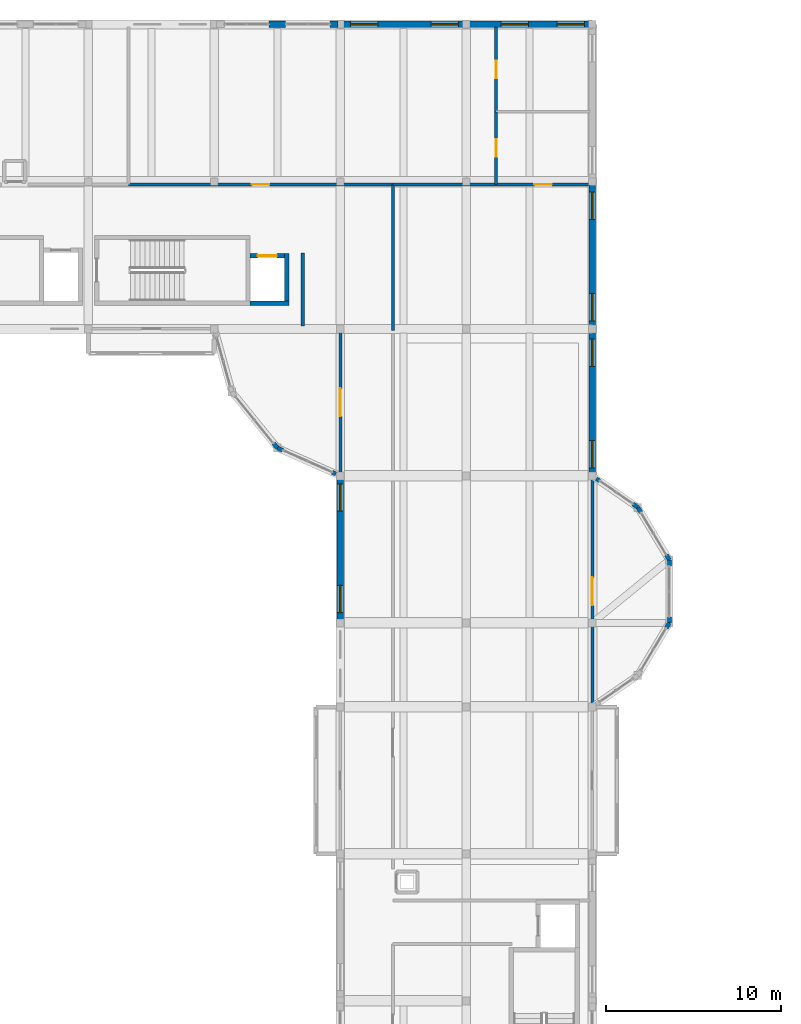
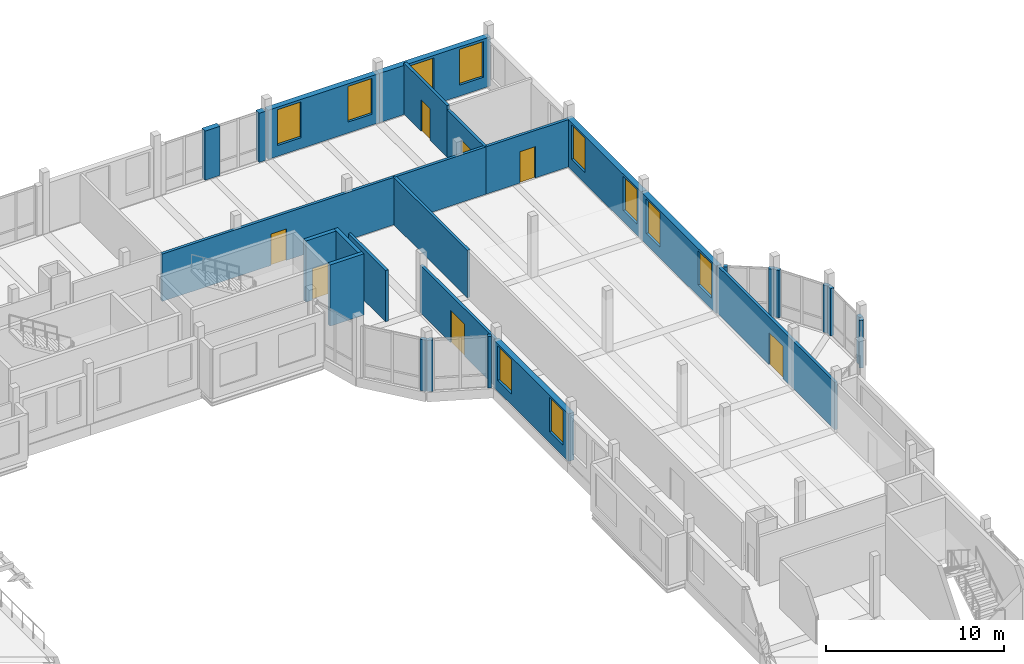
# One storey, part 73 of 99: 29 walls, 10 windows, 7 doors, 17 openings.
"""IFC4 building model written with IfcOpenShell, lengths in metres."""

from ifc_helpers import new_model, si_unit, direction, frame, frame_2d, origin, place, context, subcontext, project, spatial, rectangle, extrude, material, layer, layer_set, type_object, element, fill, save


model = new_model("IFC4")

# Units and contexts
model_context = context("Model", 3, precision=1e-05, world=origin(), true_north=direction((0.0, 1.0)))
body_context = subcontext(model_context, "Body", "Model", "MODEL_VIEW")
ifc_project = project(units=[si_unit("LENGTHUNIT", "METRE"), si_unit("AREAUNIT", "SQUARE_METRE"), si_unit("VOLUMEUNIT", "CUBIC_METRE"), si_unit("PLANEANGLEUNIT", "RADIAN"), si_unit("MASSUNIT", "GRAM", prefix="KILO")], contexts=[model_context])

# Site, building, storey
site_placement = place(None, origin())
site = spatial("IfcSite", under=ifc_project, at=site_placement, CompositionType="ELEMENT")
building_placement = place(site_placement, origin())
building = spatial("IfcBuilding", under=site, at=building_placement, Name="Kahlenmark Community Centre", CompositionType="ELEMENT")
storey_placement = place(building_placement, frame((0.0, 0.0, 5.39990234375)))
storey = spatial("IfcBuildingStorey", under=building, at=storey_placement, Name="L01", CompositionType="ELEMENT", Elevation=5.39990234375)

# Walls
ifc_material_1 = material(Name="Concrete C35/45", Category="concrete")
ifc_layer_1 = layer(ifc_material_1, 0.25)
ifc_layer_set_1 = layer_set([ifc_layer_1], Name="Concrete C35/45")
wall_type_1 = type_object("IfcWallType", Name="WT-CORE-250", PredefinedType="SHEAR", material=ifc_layer_set_1)
wall_1_placement = place(storey_placement, frame((67.25, 99.074951171875, 0.0), z_axis=(0.0, 0.0, 1.0), x_axis=(1.0, 0.0, 0.0)))
element("IfcWall", 1, at=wall_1_placement, inside=storey, type_object=wall_type_1, Name="Core K5 shear wall WL-CORE-K5-L01-0166", PredefinedType="SHEAR", context=body_context, shape_type="SweptSolid", body=[
    extrude(rectangle(XDim=2.2099609375, YDim=0.25, at=frame_2d((1.10498046875, 0.0))), origin(), (0.0, 0.0, 1.0), 4.2001953125),
])
wall_2_placement = place(storey_placement, frame((69.3349609375, 98.949951171875, 0.0), z_axis=(0.0, 0.0, 1.0), x_axis=(0.0, 1.0, 0.0)))
element("IfcWall", 2, at=wall_2_placement, inside=storey, type_object=wall_type_1, Name="Core K5 shear wall WL-CORE-K5-L01-0167", PredefinedType="SHEAR", context=body_context, shape_type="SweptSolid", body=[
    extrude(rectangle(XDim=2.9599609375, YDim=0.25, at=frame_2d((1.47998046875, 0.0))), origin(), (0.0, 0.0, 1.0), 4.2001953125),
])

# Wall, opening, door
wall_3_placement = place(storey_placement, frame((67.25, 101.784912109375, 0.0), z_axis=(0.0, 0.0, 1.0), x_axis=(1.0, 0.0, 0.0)))
wall_3 = element("IfcWall", 3, at=wall_3_placement, inside=storey, type_object=wall_type_1, Name="Core K5 shear wall WL-CORE-K5-L01-0168", PredefinedType="SHEAR", context=body_context, shape_type="SweptSolid", body=[
    extrude(rectangle(XDim=1.9599609375, YDim=0.25, at=frame_2d((0.97998046875, 0.0))), origin(), (0.0, 0.0, 1.0), 4.2001953125),
])
opening_1_placement = place(wall_3_placement, frame((0.429931640625, 0.0, -0.010009765625)))
opening_1 = element("IfcOpeningElement", 4, at=opening_1_placement, cuts=wall_3, Name="Opening LD-5", PredefinedType="OPENING", context=body_context, shape_type="SweptSolid", body=[
    extrude(rectangle(XDim=1.10009765625, YDim=2.159912109375, at=frame_2d((0.550048828125, 1.080078125))), frame((0.0, 0.135009765625, 0.0), z_axis=(0.0, -1.0, 0.0), x_axis=(1.0, 0.0, 0.0)), (0.0, 0.0, 1.0), 0.27001953125),
])
ifc_material_2 = material(Name="Brushed stainless steel sliding lift landing door", Category="steel")
door_type_1 = type_object("IfcDoorType", Name="DT-LD-K5", OperationType="SLIDING_TO_LEFT", PredefinedType="DOOR", material=ifc_material_2)
door_1_placement = place(opening_1_placement, frame((0.0, 0.0, 0.010009765625)))
door_1 = element("IfcDoor", 5, at=door_1_placement, inside=storey, type_object=door_type_1, Name="Lift LF-05 sliding landing door L01", OperationType="SLIDING_TO_LEFT", OverallHeight=2.14990234375, OverallWidth=1.10009765625, PredefinedType="DOOR", context=body_context, shape_type="SweptSolid", body=[
    extrude(rectangle(XDim=1.10009765625, YDim=2.14990234375, at=frame_2d((0.550048828125, 1.074951171875))), frame((0.0, 0.02490234375, 0.0), z_axis=(0.0, -1.0, 0.0), x_axis=(1.0, 0.0, 0.0)), (0.0, 0.0, 1.0), 0.050048828125),
])
fill(opening_1, door_1)

# Walls
ifc_material_3 = material(Name="Cross-laminated timber CLT C24", Category="wood")
ifc_layer_2 = layer(ifc_material_3, 0.239990234375)
ifc_layer_set_2 = layer_set([ifc_layer_2], Name="Cross-laminated timber CLT C24")
wall_type_2 = type_object("IfcWallType", Name="WT-EW-240", PredefinedType="SOLIDWALL", material=ifc_layer_set_2)
for number, where, z_axis, x_axis, name in (
    (6, (91.025146484375, 80.508544921875, 0.0), (0.0, 0.0, 1.0), (0.514284482632, 0.857619653998, 0.0), "Rotunda pier closure 0719"),
    (7, (91.199951171875, 80.800048828125, 0.0), (0.0, 0.0, 1.0), (0.0, 1.0, 0.0), "Rotunda pier closure 0720"),
    (8, (91.199951171875, 84.06005859375, 0.0), (0.0, 0.0, 1.0), (0.0, 1.0, 0.0), "Rotunda pier closure 0721"),
    (9, (91.199951171875, 84.39990234375, 0.0), (0.0, 0.0, 1.0), (-0.514284482632, 0.857619653998, 0.0), "Rotunda pier closure 0722"),
):
    element("IfcWall", number, at=place(storey_placement, frame(where, z_axis=z_axis, x_axis=x_axis)), inside=storey, type_object=wall_type_2, Name=name, PredefinedType="SOLIDWALL", context=body_context, shape_type="SweptSolid", body=[
        extrude(rectangle(XDim=0.33984375, YDim=0.239990234375, at=frame_2d((0.169921875, 0.0))), origin(), (0.0, 0.0, 1.0), 3.25),
    ])
wall_4_placement = place(storey_placement, frame((89.574951171875, 87.1083984375, 0.0), z_axis=(0.0, 0.0, 1.0), x_axis=(-0.514812489021, 0.857302805984, 0.0)))
element("IfcWall", 10, at=wall_4_placement, inside=storey, type_object=wall_type_2, Name="Rotunda pier closure 0723", PredefinedType="SOLIDWALL", context=body_context, shape_type="SweptSolid", body=[
    extrude(rectangle(XDim=0.340087890625, YDim=0.239990234375, at=frame_2d((0.169921875, 0.0))), origin(), (0.0, 0.0, 1.0), 3.25),
])
wall_5_placement = place(storey_placement, frame((89.39990234375, 87.39990234375, 0.0), z_axis=(0.0, 0.0, 1.0), x_axis=(-0.821855834467, 0.569695521619, 0.0)))
element("IfcWall", 11, at=wall_5_placement, inside=storey, type_object=wall_type_2, Name="Rotunda pier closure 0724", PredefinedType="SOLIDWALL", context=body_context, shape_type="SweptSolid", body=[
    extrude(rectangle(XDim=0.33984375, YDim=0.239990234375, at=frame_2d((0.169921875, 0.0))), origin(), (0.0, 0.0, 1.0), 3.25),
])
wall_6_placement = place(storey_placement, frame((87.211181640625, 88.915283203125, 0.0), z_axis=(0.0, 0.0, 1.0), x_axis=(-0.822192191644, 0.56920997883, 0.0)))
element("IfcWall", 12, at=wall_6_placement, inside=storey, type_object=wall_type_2, Name="Rotunda pier closure 0725", PredefinedType="SOLIDWALL", context=body_context, shape_type="SweptSolid", body=[
    extrude(rectangle(XDim=0.219970703125, YDim=0.239990234375, at=frame_2d((0.10986328125, 0.0))), origin(), (0.0, 0.0, 1.0), 3.25),
])
wall_7_placement = place(storey_placement, frame((68.585693359375, 91.06396484375, 0.0), z_axis=(0.0, 0.0, 1.0), x_axis=(0.630457451131, -0.776223809422, 0.0)))
element("IfcWall", 13, at=wall_7_placement, inside=storey, type_object=wall_type_2, Name="Rotunda pier closure 0777", PredefinedType="SOLIDWALL", context=body_context, shape_type="SweptSolid", body=[
    extrude(rectangle(XDim=0.340087890625, YDim=0.239990234375, at=frame_2d((0.169921875, 0.0))), origin(), (0.0, 0.0, 1.0), 3.52001953125),
])
wall_8_placement = place(storey_placement, frame((68.800048828125, 90.800048828125, 0.0), z_axis=(0.0, 0.0, 1.0), x_axis=(0.913633745955, -0.406538286329, 0.0)))
element("IfcWall", 14, at=wall_8_placement, inside=storey, type_object=wall_type_2, Name="Rotunda pier closure 0778", PredefinedType="SOLIDWALL", context=body_context, shape_type="SweptSolid", body=[
    extrude(rectangle(XDim=0.33984375, YDim=0.239990234375, at=frame_2d((0.169921875, 0.0))), origin(), (0.0, 0.0, 1.0), 3.52001953125),
])
wall_9_placement = place(storey_placement, frame((71.943115234375, 89.403076171875, 0.0), z_axis=(0.0, 0.0, 1.0), x_axis=(0.913719959968, -0.406344477944, 0.0)))
element("IfcWall", 15, at=wall_9_placement, inside=storey, type_object=wall_type_2, Name="Rotunda pier closure 0779", PredefinedType="SOLIDWALL", context=body_context, shape_type="SweptSolid", body=[
    extrude(rectangle(XDim=0.219970703125, YDim=0.239990234375, at=frame_2d((0.10986328125, 0.0))), origin(), (0.0, 0.0, 1.0), 3.52001953125),
])
ifc_material_4 = material(Name="Danube limestone masonry", Category="masonry")
ifc_layer_3 = layer(ifc_material_4, 0.360107421875)
ifc_layer_set_3 = layer_set([ifc_layer_3], Name="Danube limestone masonry")
wall_type_3 = type_object("IfcWallType", Name="WT-EW-360", PredefinedType="SOLIDWALL", material=ifc_layer_set_3)
wall_10_placement = place(storey_placement, frame((69.280029296875, 115.0, 0.0), z_axis=(0.0, 0.0, 1.0), x_axis=(-1.0, 0.0, 0.0)))
element("IfcWall", 16, at=wall_10_placement, inside=storey, type_object=wall_type_3, Name="Postmodern limestone pier 0344", PredefinedType="SOLIDWALL", context=body_context, shape_type="SweptSolid", body=[
    extrude(rectangle(XDim=0.9599609375, YDim=0.360107421875, at=frame_2d((0.47998046875, 0.0))), origin(), (0.0, 0.0, 1.0), 3.3701171875),
])
wall_11_placement = place(storey_placement, frame((72.27001953125, 115.0, 0.0), z_axis=(0.0, 0.0, 1.0), x_axis=(-1.0, 0.0, 0.0)))
element("IfcWall", 17, at=wall_11_placement, inside=storey, type_object=wall_type_3, Name="Column closure pier 0345", PredefinedType="SOLIDWALL", context=body_context, shape_type="SweptSolid", body=[
    extrude(rectangle(XDim=0.449951171875, YDim=0.360107421875, at=frame_2d((0.22509765625, 0.0))), origin(), (0.0, 0.0, 1.0), 3.3701171875),
])

# Wall, openings, windows
wall_12_placement = place(storey_placement, frame((79.60009765625, 115.0, 0.0), z_axis=(0.0, 0.0, 1.0), x_axis=(-1.0, 0.0, 0.0)))
wall_12 = element("IfcWall", 18, at=wall_12_placement, inside=storey, type_object=wall_type_3, Name="Exterior wall WL-EXT-L01-0347", PredefinedType="SOLIDWALL", context=body_context, shape_type="SweptSolid", body=[
    extrude(rectangle(XDim=7.2001953125, YDim=0.360107421875, at=frame_2d((3.60009765625, 0.0))), origin(), (0.0, 0.0, 1.0), 3.3701171875),
])
opening_2_placement = place(wall_12_placement, frame((0.4599609375, 0.0, 0.75)))
opening_2 = element("IfcOpeningElement", 19, at=opening_2_placement, cuts=wall_12, Name="Opening W-155X245", PredefinedType="OPENING", context=body_context, shape_type="SweptSolid", body=[
    extrude(rectangle(XDim=1.550048828125, YDim=2.449951171875, at=frame_2d((0.77490234375, 1.22509765625))), frame((0.0, 0.18994140625, 0.0), z_axis=(0.0, -1.0, 0.0), x_axis=(1.0, 0.0, 0.0)), (0.0, 0.0, 1.0), 0.380126953125),
])
opening_3_placement = place(wall_12_placement, frame((5.06005859375, 0.0, 0.75)))
opening_3 = element("IfcOpeningElement", 20, at=opening_3_placement, cuts=wall_12, Name="Opening W-155X245", PredefinedType="OPENING", context=body_context, shape_type="SweptSolid", body=[
    extrude(rectangle(XDim=1.550048828125, YDim=2.449951171875, at=frame_2d((0.77490234375, 1.22509765625))), frame((0.0, 0.18994140625, 0.0), z_axis=(0.0, -1.0, 0.0), x_axis=(1.0, 0.0, 0.0)), (0.0, 0.0, 1.0), 0.380126953125),
])
ifc_material_5 = material(Name="Deep-reveal limestone punched triple glazing", Category="masonry")
window_type_1 = type_object("IfcWindowType", Name="WNT-155X245", PartitioningType="DOUBLE_PANEL_HORIZONTAL", PredefinedType="WINDOW", material=ifc_material_5)
window_1_placement = place(opening_2_placement, origin())
window_1 = element("IfcWindow", 21, at=window_1_placement, inside=storey, type_object=window_type_1, Name="Window W-155X245 #0201", OverallHeight=2.449951171875, OverallWidth=1.550048828125, PartitioningType="DOUBLE_PANEL_HORIZONTAL", PredefinedType="WINDOW", context=body_context, shape_type="SweptSolid", body=[
    extrude(rectangle(XDim=1.550048828125, YDim=2.449951171875, at=frame_2d((0.77490234375, 1.22509765625))), frame((0.0, 0.030029296875, 0.0), z_axis=(0.0, -1.0, 0.0), x_axis=(1.0, 0.0, 0.0)), (0.0, 0.0, 1.0), 0.06005859375),
])
fill(opening_2, window_1)
window_2_placement = place(opening_3_placement, origin())
window_2 = element("IfcWindow", 22, at=window_2_placement, inside=storey, type_object=window_type_1, Name="Window W-155X245 #0202", OverallHeight=2.449951171875, OverallWidth=1.550048828125, PartitioningType="DOUBLE_PANEL_HORIZONTAL", PredefinedType="WINDOW", context=body_context, shape_type="SweptSolid", body=[
    extrude(rectangle(XDim=1.550048828125, YDim=2.449951171875, at=frame_2d((0.77490234375, 1.22509765625))), frame((0.0, 0.030029296875, 0.0), z_axis=(0.0, -1.0, 0.0), x_axis=(1.0, 0.0, 0.0)), (0.0, 0.0, 1.0), 0.06005859375),
])
fill(opening_3, window_2)

wall_13_placement = place(storey_placement, frame((86.800048828125, 115.0, 0.0), z_axis=(0.0, 0.0, 1.0), x_axis=(-1.0, 0.0, 0.0)))
wall_13 = element("IfcWall", 23, at=wall_13_placement, inside=storey, type_object=wall_type_3, Name="Exterior wall WL-EXT-L01-0348", PredefinedType="SOLIDWALL", context=body_context, shape_type="SweptSolid", body=[
    extrude(rectangle(XDim=7.199951171875, YDim=0.360107421875, at=frame_2d((3.60009765625, 0.0))), origin(), (0.0, 0.0, 1.0), 3.3701171875),
])
opening_4_placement = place(wall_13_placement, frame((0.4599609375, 0.0, 0.75)))
opening_4 = element("IfcOpeningElement", 24, at=opening_4_placement, cuts=wall_13, Name="Opening W-155X245", PredefinedType="OPENING", context=body_context, shape_type="SweptSolid", body=[
    extrude(rectangle(XDim=1.550048828125, YDim=2.449951171875, at=frame_2d((0.77490234375, 1.22509765625))), frame((0.0, 0.18994140625, 0.0), z_axis=(0.0, -1.0, 0.0), x_axis=(1.0, 0.0, 0.0)), (0.0, 0.0, 1.0), 0.380126953125),
])
opening_5_placement = place(wall_13_placement, frame((3.659912109375, 0.0, 0.75)))
opening_5 = element("IfcOpeningElement", 25, at=opening_5_placement, cuts=wall_13, Name="Opening W-155X245", PredefinedType="OPENING", context=body_context, shape_type="SweptSolid", body=[
    extrude(rectangle(XDim=1.550048828125, YDim=2.449951171875, at=frame_2d((0.77490234375, 1.22509765625))), frame((0.0, 0.18994140625, 0.0), z_axis=(0.0, -1.0, 0.0), x_axis=(1.0, 0.0, 0.0)), (0.0, 0.0, 1.0), 0.380126953125),
])
window_3_placement = place(opening_4_placement, origin())
window_3 = element("IfcWindow", 26, at=window_3_placement, inside=storey, type_object=window_type_1, Name="Window W-155X245 #0203", OverallHeight=2.449951171875, OverallWidth=1.550048828125, PartitioningType="DOUBLE_PANEL_HORIZONTAL", PredefinedType="WINDOW", context=body_context, shape_type="SweptSolid", body=[
    extrude(rectangle(XDim=1.550048828125, YDim=2.449951171875, at=frame_2d((0.77490234375, 1.22509765625))), frame((0.0, 0.030029296875, 0.0), z_axis=(0.0, -1.0, 0.0), x_axis=(1.0, 0.0, 0.0)), (0.0, 0.0, 1.0), 0.06005859375),
])
fill(opening_4, window_3)
window_4_placement = place(opening_5_placement, origin())
window_4 = element("IfcWindow", 27, at=window_4_placement, inside=storey, type_object=window_type_1, Name="Window W-155X245 #0204", OverallHeight=2.449951171875, OverallWidth=1.550048828125, PartitioningType="DOUBLE_PANEL_HORIZONTAL", PredefinedType="WINDOW", context=body_context, shape_type="SweptSolid", body=[
    extrude(rectangle(XDim=1.550048828125, YDim=2.449951171875, at=frame_2d((0.77490234375, 1.22509765625))), frame((0.0, 0.030029296875, 0.0), z_axis=(0.0, -1.0, 0.0), x_axis=(1.0, 0.0, 0.0)), (0.0, 0.0, 1.0), 0.06005859375),
])
fill(opening_5, window_4)

wall_14_placement = place(storey_placement, frame((86.800048828125, 97.60009765625, 0.0), z_axis=(0.0, 0.0, 1.0), x_axis=(0.0, 1.0, 0.0)))
wall_14 = element("IfcWall", 28, at=wall_14_placement, inside=storey, type_object=wall_type_3, Name="Exterior wall WL-EXT-L01-0351", PredefinedType="SOLIDWALL", context=body_context, shape_type="SweptSolid", body=[
    extrude(rectangle(XDim=8.39990234375, YDim=0.360107421875, at=frame_2d((4.199951171875, 0.0))), origin(), (0.0, 0.0, 1.0), 3.25),
])
opening_6_placement = place(wall_14_placement, frame((0.4599609375, 0.0, 0.75)))
opening_6 = element("IfcOpeningElement", 29, at=opening_6_placement, cuts=wall_14, Name="Opening W-155X236", PredefinedType="OPENING", context=body_context, shape_type="SweptSolid", body=[
    extrude(rectangle(XDim=1.550048828125, YDim=2.360107421875, at=frame_2d((0.77490234375, 1.18017578125))), frame((0.0, 0.18994140625, 0.0), z_axis=(0.0, -1.0, 0.0), x_axis=(1.0, 0.0, 0.0)), (0.0, 0.0, 1.0), 0.380126953125),
])
opening_7_placement = place(wall_14_placement, frame((6.260009765625, 0.0, 0.75)))
opening_7 = element("IfcOpeningElement", 30, at=opening_7_placement, cuts=wall_14, Name="Opening W-155X236", PredefinedType="OPENING", context=body_context, shape_type="SweptSolid", body=[
    extrude(rectangle(XDim=1.550048828125, YDim=2.360107421875, at=frame_2d((0.77490234375, 1.18017578125))), frame((0.0, 0.18994140625, 0.0), z_axis=(0.0, -1.0, 0.0), x_axis=(1.0, 0.0, 0.0)), (0.0, 0.0, 1.0), 0.380126953125),
])
window_type_2 = type_object("IfcWindowType", Name="WNT-155X236", PartitioningType="DOUBLE_PANEL_HORIZONTAL", PredefinedType="WINDOW", material=ifc_material_5)
window_5_placement = place(opening_6_placement, origin())
window_5 = element("IfcWindow", 31, at=window_5_placement, inside=storey, type_object=window_type_2, Name="Window W-155X236 #0209", OverallHeight=2.360107421875, OverallWidth=1.550048828125, PartitioningType="DOUBLE_PANEL_HORIZONTAL", PredefinedType="WINDOW", context=body_context, shape_type="SweptSolid", body=[
    extrude(rectangle(XDim=1.550048828125, YDim=2.360107421875, at=frame_2d((0.77490234375, 1.18017578125))), frame((0.0, 0.030029296875, 0.0), z_axis=(0.0, -1.0, 0.0), x_axis=(1.0, 0.0, 0.0)), (0.0, 0.0, 1.0), 0.06005859375),
])
fill(opening_6, window_5)
window_6_placement = place(opening_7_placement, origin())
window_6 = element("IfcWindow", 32, at=window_6_placement, inside=storey, type_object=window_type_2, Name="Window W-155X236 #0210", OverallHeight=2.360107421875, OverallWidth=1.550048828125, PartitioningType="DOUBLE_PANEL_HORIZONTAL", PredefinedType="WINDOW", context=body_context, shape_type="SweptSolid", body=[
    extrude(rectangle(XDim=1.550048828125, YDim=2.360107421875, at=frame_2d((0.77490234375, 1.18017578125))), frame((0.0, 0.030029296875, 0.0), z_axis=(0.0, -1.0, 0.0), x_axis=(1.0, 0.0, 0.0)), (0.0, 0.0, 1.0), 0.06005859375),
])
fill(opening_7, window_6)

wall_15_placement = place(storey_placement, frame((72.39990234375, 89.199951171875, 0.0), z_axis=(0.0, 0.0, 1.0), x_axis=(0.0, -1.0, 0.0)))
wall_15 = element("IfcWall", 33, at=wall_15_placement, inside=storey, type_object=wall_type_3, Name="Exterior wall WL-EXT-L01-0362", PredefinedType="SOLIDWALL", context=body_context, shape_type="SweptSolid", body=[
    extrude(rectangle(XDim=8.39990234375, YDim=0.360107421875, at=frame_2d((4.199951171875, 0.0))), origin(), (0.0, 0.0, 1.0), 3.25),
])
opening_8_placement = place(wall_15_placement, frame((0.4599609375, 0.0, 0.75)))
opening_8 = element("IfcOpeningElement", 34, at=opening_8_placement, cuts=wall_15, Name="Opening W-155X236", PredefinedType="OPENING", context=body_context, shape_type="SweptSolid", body=[
    extrude(rectangle(XDim=1.550048828125, YDim=2.360107421875, at=frame_2d((0.77490234375, 1.18017578125))), frame((0.0, 0.18994140625, 0.0), z_axis=(0.0, -1.0, 0.0), x_axis=(1.0, 0.0, 0.0)), (0.0, 0.0, 1.0), 0.380126953125),
])
opening_9_placement = place(wall_15_placement, frame((6.260009765625, 0.0, 0.75)))
opening_9 = element("IfcOpeningElement", 35, at=opening_9_placement, cuts=wall_15, Name="Opening W-155X236", PredefinedType="OPENING", context=body_context, shape_type="SweptSolid", body=[
    extrude(rectangle(XDim=1.550048828125, YDim=2.360107421875, at=frame_2d((0.77490234375, 1.18017578125))), frame((0.0, 0.18994140625, 0.0), z_axis=(0.0, -1.0, 0.0), x_axis=(1.0, 0.0, 0.0)), (0.0, 0.0, 1.0), 0.380126953125),
])
window_7_placement = place(opening_8_placement, origin())
window_7 = element("IfcWindow", 36, at=window_7_placement, inside=storey, type_object=window_type_2, Name="Window W-155X236 #0219", OverallHeight=2.360107421875, OverallWidth=1.550048828125, PartitioningType="DOUBLE_PANEL_HORIZONTAL", PredefinedType="WINDOW", context=body_context, shape_type="SweptSolid", body=[
    extrude(rectangle(XDim=1.550048828125, YDim=2.360107421875, at=frame_2d((0.77490234375, 1.18017578125))), frame((0.0, 0.030029296875, 0.0), z_axis=(0.0, -1.0, 0.0), x_axis=(1.0, 0.0, 0.0)), (0.0, 0.0, 1.0), 0.06005859375),
])
fill(opening_8, window_7)
window_8_placement = place(opening_9_placement, origin())
window_8 = element("IfcWindow", 37, at=window_8_placement, inside=storey, type_object=window_type_2, Name="Window W-155X236 #0220", OverallHeight=2.360107421875, OverallWidth=1.550048828125, PartitioningType="DOUBLE_PANEL_HORIZONTAL", PredefinedType="WINDOW", context=body_context, shape_type="SweptSolid", body=[
    extrude(rectangle(XDim=1.550048828125, YDim=2.360107421875, at=frame_2d((0.77490234375, 1.18017578125))), frame((0.0, 0.030029296875, 0.0), z_axis=(0.0, -1.0, 0.0), x_axis=(1.0, 0.0, 0.0)), (0.0, 0.0, 1.0), 0.06005859375),
])
fill(opening_9, window_8)

wall_16_placement = place(storey_placement, frame((86.800048828125, 89.199951171875, 0.0), z_axis=(0.0, 0.0, 1.0), x_axis=(0.0, 1.0, 0.0)))
wall_16 = element("IfcWall", 38, at=wall_16_placement, inside=storey, type_object=wall_type_3, Name="Exterior wall WL-EXT-L01-0367", PredefinedType="SOLIDWALL", context=body_context, shape_type="SweptSolid", body=[
    extrude(rectangle(XDim=8.400146484375, YDim=0.360107421875, at=frame_2d((4.2001953125, 0.0))), origin(), (0.0, 0.0, 1.0), 3.25),
])
opening_10_placement = place(wall_16_placement, frame((0.4599609375, 0.0, 0.75)))
opening_10 = element("IfcOpeningElement", 39, at=opening_10_placement, cuts=wall_16, Name="Opening W-155X236", PredefinedType="OPENING", context=body_context, shape_type="SweptSolid", body=[
    extrude(rectangle(XDim=1.550048828125, YDim=2.360107421875, at=frame_2d((0.77490234375, 1.18017578125))), frame((0.0, 0.18994140625, 0.0), z_axis=(0.0, -1.0, 0.0), x_axis=(1.0, 0.0, 0.0)), (0.0, 0.0, 1.0), 0.380126953125),
])
opening_11_placement = place(wall_16_placement, frame((6.260009765625, 0.0, 0.75)))
opening_11 = element("IfcOpeningElement", 40, at=opening_11_placement, cuts=wall_16, Name="Opening W-155X236", PredefinedType="OPENING", context=body_context, shape_type="SweptSolid", body=[
    extrude(rectangle(XDim=1.550048828125, YDim=2.360107421875, at=frame_2d((0.77490234375, 1.18017578125))), frame((0.0, 0.18994140625, 0.0), z_axis=(0.0, -1.0, 0.0), x_axis=(1.0, 0.0, 0.0)), (0.0, 0.0, 1.0), 0.380126953125),
])
window_9_placement = place(opening_10_placement, origin())
window_9 = element("IfcWindow", 41, at=window_9_placement, inside=storey, type_object=window_type_2, Name="Window W-155X236 #0223", OverallHeight=2.360107421875, OverallWidth=1.550048828125, PartitioningType="DOUBLE_PANEL_HORIZONTAL", PredefinedType="WINDOW", context=body_context, shape_type="SweptSolid", body=[
    extrude(rectangle(XDim=1.550048828125, YDim=2.360107421875, at=frame_2d((0.77490234375, 1.18017578125))), frame((0.0, 0.030029296875, 0.0), z_axis=(0.0, -1.0, 0.0), x_axis=(1.0, 0.0, 0.0)), (0.0, 0.0, 1.0), 0.06005859375),
])
fill(opening_10, window_9)
window_10_placement = place(opening_11_placement, origin())
window_10 = element("IfcWindow", 42, at=window_10_placement, inside=storey, type_object=window_type_2, Name="Window W-155X236 #0224", OverallHeight=2.360107421875, OverallWidth=1.550048828125, PartitioningType="DOUBLE_PANEL_HORIZONTAL", PredefinedType="WINDOW", context=body_context, shape_type="SweptSolid", body=[
    extrude(rectangle(XDim=1.550048828125, YDim=2.360107421875, at=frame_2d((0.77490234375, 1.18017578125))), frame((0.0, 0.030029296875, 0.0), z_axis=(0.0, -1.0, 0.0), x_axis=(1.0, 0.0, 0.0)), (0.0, 0.0, 1.0), 0.06005859375),
])
fill(opening_11, window_10)

# Wall
ifc_material_6 = material(Name="Gypsum plasterboard partition", Category="gypsum")
ifc_layer_4 = layer(ifc_material_6, 0.179931640625)
ifc_layer_set_4 = layer_set([ifc_layer_4], Name="Gypsum plasterboard partition")
wall_type_4 = type_object("IfcWallType", Name="WT-PW-180", PredefinedType="PARTITIONING", material=ifc_layer_set_4)
wall_17_placement = place(storey_placement, frame((70.25, 97.760009765625, 0.0), z_axis=(0.0, 0.0, 1.0), x_axis=(0.0, 1.0, 0.0)))
element("IfcWall", 43, at=wall_17_placement, inside=storey, type_object=wall_type_4, Name="Interior partition WL-INT-L01-0144", PredefinedType="PARTITIONING", context=body_context, shape_type="SweptSolid", body=[
    extrude(rectangle(XDim=4.18994140625, YDim=0.179931640625, at=frame_2d((2.094970703125, 0.0))), origin(), (0.0, 0.0, 1.0), 3.52001953125),
])

# Wall, opening, door
wall_18_placement = place(storey_placement, frame((60.300048828125, 105.85009765625, 0.0), z_axis=(0.0, 0.0, 1.0), x_axis=(1.0, 0.0, 0.0)))
wall_18 = element("IfcWall", 44, at=wall_18_placement, inside=storey, type_object=wall_type_4, Name="Interior partition WL-INT-L01-0148", PredefinedType="PARTITIONING", context=body_context, shape_type="SweptSolid", body=[
    extrude(rectangle(XDim=15.099853515625, YDim=0.179931640625, at=frame_2d((7.5498046875, 0.0))), origin(), (0.0, 0.0, 1.0), 3.25),
])
opening_12_placement = place(wall_18_placement, frame((7.050048828125, 0.0, -0.010009765625)))
opening_12 = element("IfcOpeningElement", 45, at=opening_12_placement, cuts=wall_18, Name="Opening D-L01-087", PredefinedType="OPENING", context=body_context, shape_type="SweptSolid", body=[
    extrude(rectangle(XDim=1.0, YDim=2.159912109375, at=frame_2d((0.5, 1.080078125))), frame((0.0, 0.099853515625, 0.0), z_axis=(0.0, -1.0, 0.0), x_axis=(1.0, 0.0, 0.0)), (0.0, 0.0, 1.0), 0.199951171875),
])
ifc_material_7 = material(Name="Oak timber veneer door leaf", Category="wood")
door_type_2 = type_object("IfcDoorType", Name="DT-INT-100X215", OperationType="NOTDEFINED", PredefinedType="DOOR", material=ifc_material_7)
door_2_placement = place(opening_12_placement, frame((1.0, 0.0, 0.010009765625), z_axis=(0.0, 0.0, 1.0), x_axis=(-1.0, 0.0, 0.0)))
door_2 = element("IfcDoor", 46, at=door_2_placement, inside=storey, type_object=door_type_2, Name="Interior door D-L01-087", OperationType="SINGLE_SWING_RIGHT", OverallHeight=2.14990234375, OverallWidth=1.0, PredefinedType="DOOR", context=body_context, shape_type="SweptSolid", body=[
    extrude(rectangle(XDim=1.0, YDim=2.14990234375, at=frame_2d((0.5, 1.074951171875))), frame((0.0, 0.02490234375, 0.0), z_axis=(0.0, -1.0, 0.0), x_axis=(1.0, 0.0, 0.0)), (0.0, 0.0, 1.0), 0.050048828125),
])
fill(opening_12, door_2)

# Wall
wall_19_placement = place(storey_placement, frame((75.39990234375, 105.85009765625, 0.0), z_axis=(0.0, 0.0, 1.0), x_axis=(1.0, 0.0, 0.0)))
element("IfcWall", 47, at=wall_19_placement, inside=storey, type_object=wall_type_4, Name="Interior partition WL-INT-L01-0149", PredefinedType="PARTITIONING", context=body_context, shape_type="SweptSolid", body=[
    extrude(rectangle(XDim=5.900146484375, YDim=0.179931640625, at=frame_2d((2.9501953125, 0.0))), origin(), (0.0, 0.0, 1.0), 3.25),
])

# Wall, opening, door
wall_20_placement = place(storey_placement, frame((81.300048828125, 105.85009765625, 0.0), z_axis=(0.0, 0.0, 1.0), x_axis=(1.0, 0.0, 0.0)))
wall_20 = element("IfcWall", 48, at=wall_20_placement, inside=storey, type_object=wall_type_4, Name="Interior partition WL-INT-L01-0150", PredefinedType="PARTITIONING", context=body_context, shape_type="SweptSolid", body=[
    extrude(rectangle(XDim=5.35986328125, YDim=0.179931640625, at=frame_2d((2.679931640625, 0.0))), origin(), (0.0, 0.0, 1.0), 3.25),
])
opening_13_placement = place(wall_20_placement, frame((2.179931640625, 0.0, -0.010009765625)))
opening_13 = element("IfcOpeningElement", 49, at=opening_13_placement, cuts=wall_20, Name="Opening D-L01-088", PredefinedType="OPENING", context=body_context, shape_type="SweptSolid", body=[
    extrude(rectangle(XDim=1.0, YDim=2.159912109375, at=frame_2d((0.5, 1.080078125))), frame((0.0, 0.099853515625, 0.0), z_axis=(0.0, -1.0, 0.0), x_axis=(1.0, 0.0, 0.0)), (0.0, 0.0, 1.0), 0.199951171875),
])
door_3_placement = place(opening_13_placement, frame((0.0, 0.0, 0.010009765625)))
door_3 = element("IfcDoor", 50, at=door_3_placement, inside=storey, type_object=door_type_2, Name="Interior door D-L01-088", OperationType="SINGLE_SWING_LEFT", OverallHeight=2.14990234375, OverallWidth=1.0, PredefinedType="DOOR", context=body_context, shape_type="SweptSolid", body=[
    extrude(rectangle(XDim=1.0, YDim=2.14990234375, at=frame_2d((0.5, 1.074951171875))), frame((0.0, 0.02490234375, 0.0), z_axis=(0.0, -1.0, 0.0), x_axis=(1.0, 0.0, 0.0)), (0.0, 0.0, 1.0), 0.050048828125),
])
fill(opening_13, door_3)

wall_21_placement = place(storey_placement, frame((81.300048828125, 105.85009765625, 0.0), z_axis=(0.0, 0.0, 1.0), x_axis=(0.0, 1.0, 0.0)))
wall_21 = element("IfcWall", 51, at=wall_21_placement, inside=storey, type_object=wall_type_4, Name="Interior partition WL-INT-L01-0152", PredefinedType="PARTITIONING", context=body_context, shape_type="SweptSolid", body=[
    extrude(rectangle(XDim=4.14990234375, YDim=0.179931640625, at=frame_2d((2.074951171875, 0.0))), origin(), (0.0, 0.0, 1.0), 3.25),
])
opening_14_placement = place(wall_21_placement, frame((1.574951171875, 0.0, -0.010009765625)))
opening_14 = element("IfcOpeningElement", 52, at=opening_14_placement, cuts=wall_21, Name="Opening D-L01-089", PredefinedType="OPENING", context=body_context, shape_type="SweptSolid", body=[
    extrude(rectangle(XDim=1.0, YDim=2.159912109375, at=frame_2d((0.5, 1.080078125))), frame((0.0, 0.099853515625, 0.0), z_axis=(0.0, -1.0, 0.0), x_axis=(1.0, 0.0, 0.0)), (0.0, 0.0, 1.0), 0.199951171875),
])
door_4_placement = place(opening_14_placement, frame((0.0, 0.0, 0.010009765625)))
door_4 = element("IfcDoor", 53, at=door_4_placement, inside=storey, type_object=door_type_2, Name="Interior door D-L01-089", OperationType="SINGLE_SWING_RIGHT", OverallHeight=2.14990234375, OverallWidth=1.0, PredefinedType="DOOR", context=body_context, shape_type="SweptSolid", body=[
    extrude(rectangle(XDim=1.0, YDim=2.14990234375, at=frame_2d((0.5, 1.074951171875))), frame((0.0, 0.02490234375, 0.0), z_axis=(0.0, -1.0, 0.0), x_axis=(1.0, 0.0, 0.0)), (0.0, 0.0, 1.0), 0.050048828125),
])
fill(opening_14, door_4)

wall_22_placement = place(storey_placement, frame((81.300048828125, 110.0, 0.0), z_axis=(0.0, 0.0, 1.0), x_axis=(0.0, 1.0, 0.0)))
wall_22 = element("IfcWall", 54, at=wall_22_placement, inside=storey, type_object=wall_type_4, Name="Interior partition WL-INT-L01-0153", PredefinedType="PARTITIONING", context=body_context, shape_type="SweptSolid", body=[
    extrude(rectangle(XDim=4.860107421875, YDim=0.179931640625, at=frame_2d((2.43017578125, 0.0))), origin(), (0.0, 0.0, 1.0), 3.52001953125),
])
opening_15_placement = place(wall_22_placement, frame((1.929931640625, 0.0, -0.010009765625)))
opening_15 = element("IfcOpeningElement", 55, at=opening_15_placement, cuts=wall_22, Name="Opening D-L01-090", PredefinedType="OPENING", context=body_context, shape_type="SweptSolid", body=[
    extrude(rectangle(XDim=1.0, YDim=2.159912109375, at=frame_2d((0.5, 1.080078125))), frame((0.0, 0.099853515625, 0.0), z_axis=(0.0, -1.0, 0.0), x_axis=(1.0, 0.0, 0.0)), (0.0, 0.0, 1.0), 0.199951171875),
])
door_5_placement = place(opening_15_placement, frame((1.0, 0.0, 0.010009765625), z_axis=(0.0, 0.0, 1.0), x_axis=(-1.0, 0.0, 0.0)))
door_5 = element("IfcDoor", 56, at=door_5_placement, inside=storey, type_object=door_type_2, Name="Interior door D-L01-090", OperationType="SINGLE_SWING_LEFT", OverallHeight=2.14990234375, OverallWidth=1.0, PredefinedType="DOOR", context=body_context, shape_type="SweptSolid", body=[
    extrude(rectangle(XDim=1.0, YDim=2.14990234375, at=frame_2d((0.5, 1.074951171875))), frame((0.0, 0.02490234375, 0.0), z_axis=(0.0, -1.0, 0.0), x_axis=(1.0, 0.0, 0.0)), (0.0, 0.0, 1.0), 0.050048828125),
])
fill(opening_15, door_5)

# Wall
wall_23_placement = place(storey_placement, frame((75.39990234375, 97.5, 0.0), z_axis=(0.0, 0.0, 1.0), x_axis=(0.0, 1.0, 0.0)))
element("IfcWall", 57, at=wall_23_placement, inside=storey, type_object=wall_type_4, Name="Interior partition WL-INT-L01-0160", PredefinedType="PARTITIONING", context=body_context, shape_type="SweptSolid", body=[
    extrude(rectangle(XDim=8.35009765625, YDim=0.179931640625, at=frame_2d((4.175048828125, 0.0))), origin(), (0.0, 0.0, 1.0), 3.25),
])

# Wall, opening, door
wall_24_placement = place(storey_placement, frame((86.800048828125, 76.0, 0.0), z_axis=(0.0, 0.0, 1.0), x_axis=(0.0, 1.0, 0.0)))
wall_24 = element("IfcWall", 58, at=wall_24_placement, inside=storey, type_object=wall_type_4, Name="Interior partition WL-INT-L01-0161", PredefinedType="PARTITIONING", context=body_context, shape_type="SweptSolid", body=[
    extrude(rectangle(XDim=13.199951171875, YDim=0.179931640625, at=frame_2d((6.60009765625, 0.0))), origin(), (0.0, 0.0, 1.0), 3.25),
])
opening_16_placement = place(wall_24_placement, frame((5.800048828125, 0.0, -0.010009765625)))
opening_16 = element("IfcOpeningElement", 59, at=opening_16_placement, cuts=wall_24, Name="Opening D-L01-093", PredefinedType="OPENING", context=body_context, shape_type="SweptSolid", body=[
    extrude(rectangle(XDim=1.60009765625, YDim=2.2099609375, at=frame_2d((0.800048828125, 1.10498046875))), frame((0.0, 0.099853515625, 0.0), z_axis=(0.0, -1.0, 0.0), x_axis=(1.0, 0.0, 0.0)), (0.0, 0.0, 1.0), 0.199951171875),
])
ifc_material_8 = material(Name="Oak double-leaf acoustic door")
door_type_3 = type_object("IfcDoorType", Name="DT-DBL-160X220", OperationType="NOTDEFINED", PredefinedType="DOOR", material=ifc_material_8)
door_6_placement = place(opening_16_placement, frame((1.60009765625, 0.0, 0.010009765625), z_axis=(0.0, 0.0, 1.0), x_axis=(-1.0, 0.0, 0.0)))
door_6 = element("IfcDoor", 60, at=door_6_placement, inside=storey, type_object=door_type_3, Name="Interior door D-L01-093", OperationType="DOUBLE_SWING_LEFT", OverallHeight=2.199951171875, OverallWidth=1.60009765625, PredefinedType="DOOR", context=body_context, shape_type="SweptSolid", body=[
    extrude(rectangle(XDim=1.60009765625, YDim=2.199951171875, at=frame_2d((0.800048828125, 1.10009765625))), frame((0.0, 0.02490234375, 0.0), z_axis=(0.0, -1.0, 0.0), x_axis=(1.0, 0.0, 0.0)), (0.0, 0.0, 1.0), 0.050048828125),
])
fill(opening_16, door_6)

wall_25_placement = place(storey_placement, frame((72.39990234375, 89.199951171875, 0.0), z_axis=(0.0, 0.0, 1.0), x_axis=(0.0, 1.0, 0.0)))
wall_25 = element("IfcWall", 61, at=wall_25_placement, inside=storey, type_object=wall_type_4, Name="Interior partition WL-INT-L01-0162", PredefinedType="PARTITIONING", context=body_context, shape_type="SweptSolid", body=[
    extrude(rectangle(XDim=8.400146484375, YDim=0.179931640625, at=frame_2d((4.2001953125, 0.0))), origin(), (0.0, 0.0, 1.0), 3.25),
])
opening_17_placement = place(wall_25_placement, frame((3.39990234375, 0.0, -0.010009765625)))
opening_17 = element("IfcOpeningElement", 62, at=opening_17_placement, cuts=wall_25, Name="Opening D-L01-094", PredefinedType="OPENING", context=body_context, shape_type="SweptSolid", body=[
    extrude(rectangle(XDim=1.60009765625, YDim=2.2099609375, at=frame_2d((0.800048828125, 1.10498046875))), frame((0.0, 0.099853515625, 0.0), z_axis=(0.0, -1.0, 0.0), x_axis=(1.0, 0.0, 0.0)), (0.0, 0.0, 1.0), 0.199951171875),
])
door_7_placement = place(opening_17_placement, frame((0.0, 0.0, 0.010009765625)))
door_7 = element("IfcDoor", 63, at=door_7_placement, inside=storey, type_object=door_type_3, Name="Interior door D-L01-094", OperationType="DOUBLE_SWING_LEFT", OverallHeight=2.199951171875, OverallWidth=1.60009765625, PredefinedType="DOOR", context=body_context, shape_type="SweptSolid", body=[
    extrude(rectangle(XDim=1.60009765625, YDim=2.199951171875, at=frame_2d((0.800048828125, 1.10009765625))), frame((0.0, 0.02490234375, 0.0), z_axis=(0.0, -1.0, 0.0), x_axis=(1.0, 0.0, 0.0)), (0.0, 0.0, 1.0), 0.050048828125),
])
fill(opening_17, door_7)

save(model, "model.ifc")
